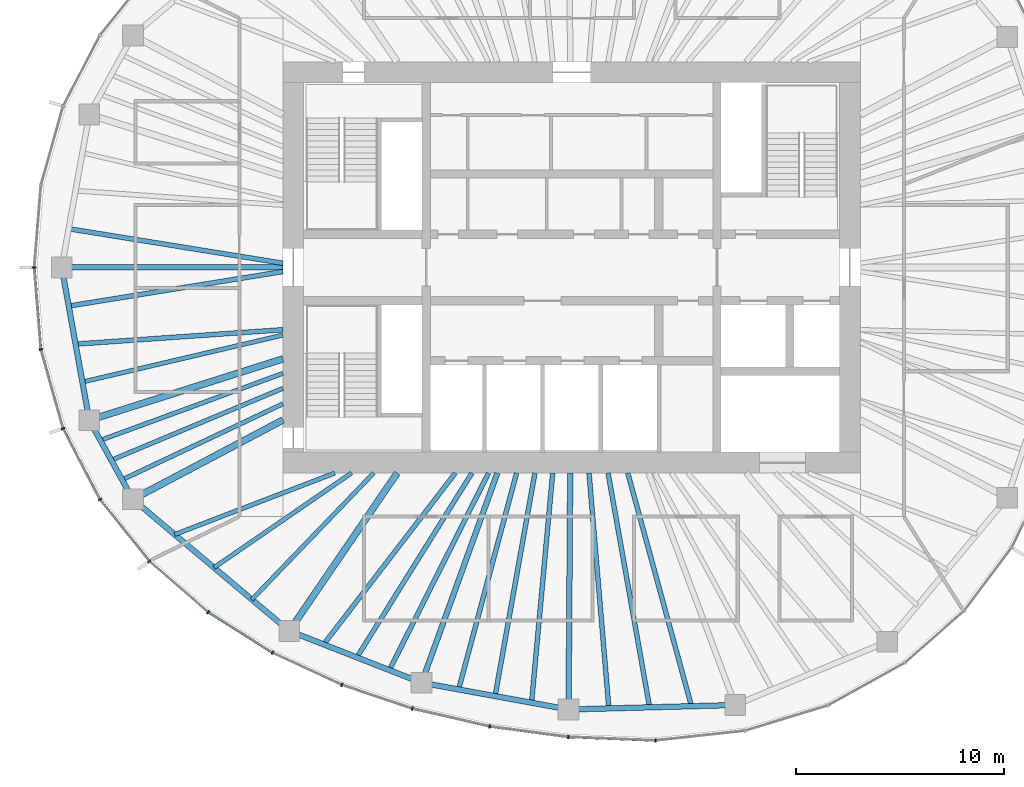
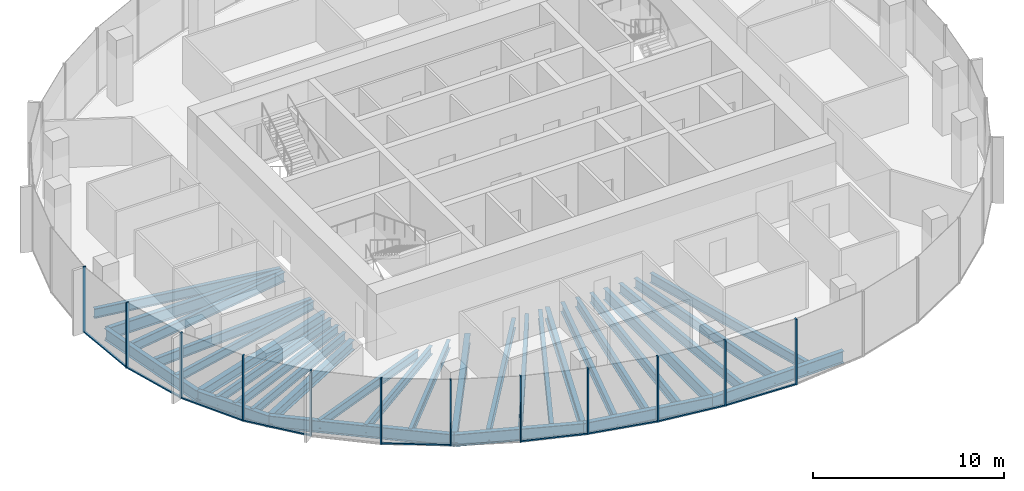
# One storey, part 2 of 11: 31 beams, 21 members, 6 elements without a shape of their own.
"""IFC4 building model written with IfcOpenShell, lengths in metres."""

from ifc_helpers import new_model, si_unit, direction, frame, origin, origin_2d, place, context, subcontext, project, spatial, rectangle, i_section, extrude, material, material_profile, profile_set, type_object, element, aggregate, save


model = new_model("IFC4")

# Units and contexts
model_context = context("Model", 3, precision=1e-05, world=origin(), true_north=direction((0.0, 1.0)))
body_context = subcontext(model_context, "Body", "Model", "MODEL_VIEW")
ifc_project = project(units=[si_unit("LENGTHUNIT", "METRE"), si_unit("AREAUNIT", "SQUARE_METRE"), si_unit("VOLUMEUNIT", "CUBIC_METRE"), si_unit("PLANEANGLEUNIT", "RADIAN"), si_unit("MASSUNIT", "GRAM", prefix="KILO")], contexts=[model_context])

# Site, building, storey
site_placement = place(None, origin())
site = spatial("IfcSite", under=ifc_project, at=site_placement, CompositionType="ELEMENT")
building_placement = place(site_placement, origin())
building = spatial("IfcBuilding", under=site, at=building_placement, Name="Ghaith Harvest Tower", CompositionType="ELEMENT")
storey_placement = place(building_placement, frame((0.0, 0.0, 330.0)))
storey = spatial("IfcBuildingStorey", under=building, at=storey_placement, Name="L74", CompositionType="ELEMENT", Elevation=330.0)

# Curtain wall, members
ifc_material_1 = material(Name="Black anodised aluminium and fritted glass", Category="aluminium")
curtain_wall_type = type_object("IfcCurtainWallType", Name="CW-T CURTAIN WALL", PredefinedType="NOTDEFINED", material=ifc_material_1)
curtain_wall_1_placement = place(storey_placement, origin())
curtain_wall_1 = element("IfcCurtainWall", 1, at=curtain_wall_1_placement, inside=storey, type_object=curtain_wall_type, Name="Curtain wall CW-T bay 11 L74", PredefinedType="NOTDEFINED")
ifc_material_2 = material(Name="Aluminium, black anodised", Category="aluminium")
ifc_material_profile_1 = material_profile(ifc_material_2, rectangle(XDim=0.080078125, YDim=0.179931640625, at=origin_2d()), Name="CW-T MULLION 80x180")
ifc_profile_set_1 = profile_set([ifc_material_profile_1], Name="Aluminium, black anodised")
member_type_1 = type_object("IfcMemberType", Name="CW-T MULLION 80x180", PredefinedType="MULLION", material=ifc_profile_set_1)
member_1_placement = place(storey_placement, frame((-25.8701171875, 0.0, 0.0), z_axis=(0.0, 0.0, 1.0), x_axis=(-1.05e-10, -1.0, 0.0)))
member_1 = element("IfcMember", 2, at=member_1_placement, type_object=member_type_1, Name="CW-T mullion 1 bay 11 L74", PredefinedType="MULLION", context=body_context, shape_type="SweptSolid", body=[
    extrude(rectangle(XDim=0.080078125, YDim=0.179931640625, at=origin_2d()), origin(), (0.0, 0.0, 1.0), 4.199951171875),
])
member_2_placement = place(storey_placement, frame((-25.5517578125, -3.9521484375, 0.0), z_axis=(0.0, 0.0, 1.0), x_axis=(0.176001391003, -0.98438991785, 0.0)))
member_2 = element("IfcMember", 3, at=member_2_placement, type_object=member_type_1, Name="CW-T mullion 2 bay 11 L74", PredefinedType="MULLION", context=body_context, shape_type="SweptSolid", body=[
    extrude(rectangle(XDim=0.080078125, YDim=0.179931640625, at=origin_2d()), origin(), (0.0, 0.0, 1.0), 4.199951171875),
])

curtain_wall_2_placement = place(storey_placement, origin())
curtain_wall_2 = element("IfcCurtainWall", 4, at=curtain_wall_2_placement, inside=storey, type_object=curtain_wall_type, Name="Curtain wall CW-T bay 12 L74", PredefinedType="NOTDEFINED")
member_3_placement = place(storey_placement, frame((-24.482666015625, -7.759033203125, 0.0), z_axis=(0.0, 0.0, 1.0), x_axis=(0.366473104734, -0.930428645038, 0.0)))
member_3 = element("IfcMember", 5, at=member_3_placement, type_object=member_type_1, Name="CW-T mullion 1 bay 12 L74", PredefinedType="MULLION", context=body_context, shape_type="SweptSolid", body=[
    extrude(rectangle(XDim=0.080078125, YDim=0.179931640625, at=origin_2d()), origin(), (0.0, 0.0, 1.0), 4.199951171875),
])
member_4_placement = place(storey_placement, frame((-22.706298828125, -11.176513671875, 0.0), z_axis=(0.0, 0.0, 1.0), x_axis=(0.545865412431, -0.837872873121, 0.0)))
member_4 = element("IfcMember", 6, at=member_4_placement, type_object=member_type_1, Name="CW-T mullion 2 bay 12 L74", PredefinedType="MULLION", context=body_context, shape_type="SweptSolid", body=[
    extrude(rectangle(XDim=0.080078125, YDim=0.179931640625, at=origin_2d()), origin(), (0.0, 0.0, 1.0), 4.199951171875),
])

curtain_wall_3_placement = place(storey_placement, origin())
curtain_wall_3 = element("IfcCurtainWall", 7, at=curtain_wall_3_placement, inside=storey, type_object=curtain_wall_type, Name="Curtain wall CW-T bay 13 L74", PredefinedType="NOTDEFINED")
member_5_placement = place(storey_placement, frame((-20.324462890625, -14.141845703125, 0.0), z_axis=(0.0, 0.0, 1.0), x_axis=(0.692826491831, -0.721104328248, 0.0)))
member_5 = element("IfcMember", 8, at=member_5_placement, type_object=member_type_1, Name="CW-T mullion 1 bay 13 L74", PredefinedType="MULLION", context=body_context, shape_type="SweptSolid", body=[
    extrude(rectangle(XDim=0.080078125, YDim=0.179931640625, at=origin_2d()), origin(), (0.0, 0.0, 1.0), 4.199951171875),
])
member_6_placement = place(storey_placement, frame((-17.49462890625, -16.600830078125, 0.0), z_axis=(0.0, 0.0, 1.0), x_axis=(0.802189888845, -0.59706899286, 0.0)))
member_6 = element("IfcMember", 9, at=member_6_placement, type_object=member_type_1, Name="CW-T mullion 2 bay 13 L74", PredefinedType="MULLION", context=body_context, shape_type="SweptSolid", body=[
    extrude(rectangle(XDim=0.080078125, YDim=0.179931640625, at=origin_2d()), origin(), (0.0, 0.0, 1.0), 4.199951171875),
])

curtain_wall_4_placement = place(storey_placement, origin())
curtain_wall_4 = element("IfcCurtainWall", 10, at=curtain_wall_4_placement, inside=storey, type_object=curtain_wall_type, Name="Curtain wall CW-T bay 14 L74", PredefinedType="NOTDEFINED")
member_7_placement = place(storey_placement, frame((-14.40478515625, -18.5478515625, 0.0), z_axis=(0.0, 0.0, 1.0), x_axis=(0.878671732732, -0.477426419564, 0.0)))
member_7 = element("IfcMember", 11, at=member_7_placement, type_object=member_type_1, Name="CW-T mullion 1 bay 14 L74", PredefinedType="MULLION", context=body_context, shape_type="SweptSolid", body=[
    extrude(rectangle(XDim=0.080078125, YDim=0.179931640625, at=origin_2d()), origin(), (0.0, 0.0, 1.0), 4.199951171875),
])
member_8_placement = place(storey_placement, frame((-11.0673828125, -20.093017578125, 0.0), z_axis=(0.0, 0.0, 1.0), x_axis=(0.92862442092, -0.371021138038, 0.0)))
member_8 = element("IfcMember", 12, at=member_8_placement, type_object=member_type_1, Name="CW-T mullion 2 bay 14 L74", PredefinedType="MULLION", context=body_context, shape_type="SweptSolid", body=[
    extrude(rectangle(XDim=0.080078125, YDim=0.179931640625, at=origin_2d()), origin(), (0.0, 0.0, 1.0), 4.199951171875),
])

curtain_wall_5_placement = place(storey_placement, origin())
curtain_wall_5 = element("IfcCurtainWall", 13, at=curtain_wall_5_placement, inside=storey, type_object=curtain_wall_type, Name="Curtain wall CW-T bay 15 L74", PredefinedType="NOTDEFINED")
member_9_placement = place(storey_placement, frame((-7.6708984375, -21.23828125, 0.0), z_axis=(0.0, 0.0, 1.0), x_axis=(0.962552491659, -0.271095372151, 0.0)))
member_9 = element("IfcMember", 14, at=member_9_placement, type_object=member_type_1, Name="CW-T mullion 1 bay 15 L74", PredefinedType="MULLION", context=body_context, shape_type="SweptSolid", body=[
    extrude(rectangle(XDim=0.080078125, YDim=0.179931640625, at=origin_2d()), origin(), (0.0, 0.0, 1.0), 4.199951171875),
])
member_10_placement = place(storey_placement, frame((-3.946533203125, -22.0986328125, 0.0), z_axis=(0.0, 0.0, 1.0), x_axis=(0.983843447712, -0.179030920217, 0.0)))
member_10 = element("IfcMember", 15, at=member_10_placement, type_object=member_type_1, Name="CW-T mullion 2 bay 15 L74", PredefinedType="MULLION", context=body_context, shape_type="SweptSolid", body=[
    extrude(rectangle(XDim=0.080078125, YDim=0.179931640625, at=origin_2d()), origin(), (0.0, 0.0, 1.0), 4.199951171875),
])

curtain_wall_6_placement = place(storey_placement, origin())
curtain_wall_6 = element("IfcCurtainWall", 16, at=curtain_wall_6_placement, inside=storey, type_object=curtain_wall_type, Name="Curtain wall CW-T bay 16 L74", PredefinedType="NOTDEFINED")
member_11_placement = place(storey_placement, frame((-0.15478515625, -22.60595703125, 0.0), z_axis=(0.0, 0.0, 1.0), x_axis=(0.996414855524, -0.084601629366, 0.0)))
member_11 = element("IfcMember", 17, at=member_11_placement, type_object=member_type_1, Name="CW-T mullion 1 bay 16 L74", PredefinedType="MULLION", context=body_context, shape_type="SweptSolid", body=[
    extrude(rectangle(XDim=0.080078125, YDim=0.179931640625, at=origin_2d()), origin(), (0.0, 0.0, 1.0), 4.199951171875),
])
member_12_placement = place(storey_placement, frame((4.037841796875, -22.776611328125, 0.0), z_axis=(0.0, 0.0, 1.0), x_axis=(0.999388631241, 0.034962318939, 0.0)))
member_12 = element("IfcMember", 18, at=member_12_placement, type_object=member_type_1, Name="CW-T mullion 2 bay 16 L74", PredefinedType="MULLION", context=body_context, shape_type="SweptSolid", body=[
    extrude(rectangle(XDim=0.080078125, YDim=0.179931640625, at=origin_2d()), origin(), (0.0, 0.0, 1.0), 4.199951171875),
])

# Member
ifc_material_3 = material(Name="Aluminium, black anodised", Category="aluminium")
ifc_material_profile_2 = material_profile(ifc_material_3, rectangle(XDim=0.1201171875, YDim=0.080078125, at=origin_2d()), Name="CW-T TRANSOM 120x80")
ifc_profile_set_2 = profile_set([ifc_material_profile_2], Name="Aluminium, black anodised")
member_type_2 = type_object("IfcMemberType", Name="CW-T TRANSOM 120x80", PredefinedType="USERDEFINED", material=ifc_profile_set_2)
member_13_placement = place(storey_placement, frame((-25.86669921875, -0.039794921875, 0.0400390625), z_axis=(0.08025226314, -0.996774585481, 0.0), x_axis=(0.996774585481, 0.08025226314, 0.0)))
member_13 = element("IfcMember", 19, at=member_13_placement, type_object=member_type_2, Name="CW-T transom 1 bay 11 L74", ObjectType="TRANSOM", PredefinedType="USERDEFINED", context=body_context, shape_type="SweptSolid", body=[
    extrude(rectangle(XDim=0.1201171875, YDim=0.080078125, at=origin_2d()), origin(), (0.0, 0.0, 1.0), 3.884765625),
])

member_14_placement = place(storey_placement, frame((-25.541015625, -3.990478515625, 0.0400390625), z_axis=(0.270340422972, -0.962764797709, 0.0), x_axis=(0.962764797709, 0.270340422972, 0.0)))
member_14 = element("IfcMember", 20, at=member_14_placement, type_object=member_type_2, Name="CW-T transom 2 bay 11 L74", ObjectType="TRANSOM", PredefinedType="USERDEFINED", context=body_context, shape_type="SweptSolid", body=[
    extrude(rectangle(XDim=0.1201171875, YDim=0.080078125, at=origin_2d()), origin(), (0.0, 0.0, 1.0), 3.874267578125),
])

aggregate(curtain_wall_1, [member_1, member_13, member_2, member_14])

member_15_placement = place(storey_placement, frame((-24.46435546875, -7.79443359375, 0.0400390625), z_axis=(0.461242681347, -0.887274021317, 0.0), x_axis=(0.887274021317, 0.461242681347, 0.0)))
member_15 = element("IfcMember", 21, at=member_15_placement, type_object=member_type_2, Name="CW-T transom 1 bay 12 L74", ObjectType="TRANSOM", PredefinedType="USERDEFINED", context=body_context, shape_type="SweptSolid", body=[
    extrude(rectangle(XDim=0.1201171875, YDim=0.080078125, at=origin_2d()), origin(), (0.0, 0.0, 1.0), 3.77197265625),
])

member_16_placement = place(storey_placement, frame((-22.68115234375, -11.207763671875, 0.0400390625), z_axis=(0.626253073761, -0.779619835307, 0.0), x_axis=(0.779619835307, 0.626253073761, 0.0)))
member_16 = element("IfcMember", 22, at=member_16_placement, type_object=member_type_2, Name="CW-T transom 2 bay 12 L74", ObjectType="TRANSOM", PredefinedType="USERDEFINED", context=body_context, shape_type="SweptSolid", body=[
    extrude(rectangle(XDim=0.1201171875, YDim=0.080078125, at=origin_2d()), origin(), (0.0, 0.0, 1.0), 3.723388671875),
])

aggregate(curtain_wall_2, [member_3, member_15, member_4, member_16])

member_17_placement = place(storey_placement, frame((-17.4609375, -16.6220703125, 0.0400390625), z_axis=(0.846053602505, -0.533097835006, 0.0), x_axis=(0.533097835006, 0.846053602505, 0.0)))
member_17 = element("IfcMember", 23, at=member_17_placement, type_object=member_type_2, Name="CW-T transom 2 bay 13 L74", ObjectType="TRANSOM", PredefinedType="USERDEFINED", context=body_context, shape_type="SweptSolid", body=[
    extrude(rectangle(XDim=0.1201171875, YDim=0.080078125, at=origin_2d()), origin(), (0.0, 0.0, 1.0), 3.572021484375),
])

aggregate(curtain_wall_3, [member_5, member_6, member_17])

member_18_placement = place(storey_placement, frame((-11.029541015625, -20.105712890625, 0.0400390625), z_axis=(0.9475698206, -0.319548799228, 0.0), x_axis=(0.319548799228, 0.9475698206, 0.0)))
member_18 = element("IfcMember", 24, at=member_18_placement, type_object=member_type_2, Name="CW-T transom 2 bay 14 L74", ObjectType="TRANSOM", PredefinedType="USERDEFINED", context=body_context, shape_type="SweptSolid", body=[
    extrude(rectangle(XDim=0.1201171875, YDim=0.080078125, at=origin_2d()), origin(), (0.0, 0.0, 1.0), 3.504638671875),
])

aggregate(curtain_wall_4, [member_7, member_8, member_18])

member_19_placement = place(storey_placement, frame((-7.6318359375, -21.247314453125, 0.0400390625), z_axis=(0.974344997799, -0.225059603803, 0.0), x_axis=(0.225059603803, 0.974344997799, 0.0)))
member_19 = element("IfcMember", 25, at=member_19_placement, type_object=member_type_2, Name="CW-T transom 1 bay 15 L74", ObjectType="TRANSOM", PredefinedType="USERDEFINED", context=body_context, shape_type="SweptSolid", body=[
    extrude(rectangle(XDim=0.1201171875, YDim=0.080078125, at=origin_2d()), origin(), (0.0, 0.0, 1.0), 3.742431640625),
])

member_20_placement = place(storey_placement, frame((-3.90673828125, -22.10400390625, 0.0400390625), z_axis=(0.99117202259, -0.132582131655, 0.0), x_axis=(0.132582131655, 0.99117202259, 0.0)))
member_20 = element("IfcMember", 26, at=member_20_placement, type_object=member_type_2, Name="CW-T transom 2 bay 15 L74", ObjectType="TRANSOM", PredefinedType="USERDEFINED", context=body_context, shape_type="SweptSolid", body=[
    extrude(rectangle(XDim=0.1201171875, YDim=0.080078125, at=origin_2d()), origin(), (0.0, 0.0, 1.0), 3.745361328125),
])

aggregate(curtain_wall_5, [member_9, member_19, member_10, member_20])

member_21_placement = place(storey_placement, frame((-0.11474609375, -22.607666015625, 0.0400390625), z_axis=(0.999174207562, -0.040631304968, 0.0), x_axis=(0.040631304968, 0.999174207562, 0.0)))
member_21 = element("IfcMember", 27, at=member_21_placement, type_object=member_type_2, Name="CW-T transom 1 bay 16 L74", ObjectType="TRANSOM", PredefinedType="USERDEFINED", context=body_context, shape_type="SweptSolid", body=[
    extrude(rectangle(XDim=0.1201171875, YDim=0.080078125, at=origin_2d()), origin(), (0.0, 0.0, 1.0), 4.115966796875),
])

aggregate(curtain_wall_6, [member_11, member_21, member_12])

# Beams
ifc_material_4 = material(Name="Steel ASTM A992 Grade 50", Category="steel")
ifc_material_profile_3 = material_profile(ifc_material_4, i_section(OverallWidth=0.26611328125, OverallDepth=0.758056640625, WebThickness=0.013916015625, FlangeThickness=0.019287109375, at=origin_2d()), Name="W760X161")
ifc_profile_set_3 = profile_set([ifc_material_profile_3], Name="Steel ASTM A992 Grade 50")
beam_type_1 = type_object("IfcBeamType", Name="E760-161 W760X161", PredefinedType="SPANDREL", material=ifc_profile_set_3)
beam_1_placement = place(storey_placement, frame((-24.550048828125, 0.0, -0.549072265625), z_axis=(0.177296554745, -0.984157473007, 0.0), x_axis=(0.984157473007, 0.177296554745, 0.0)))
element("IfcBeam", 28, at=beam_1_placement, inside=storey, type_object=beam_type_1, Name="Edge beam E11 L74", PredefinedType="SPANDREL", context=body_context, shape_type="SweptSolid", body=[
    extrude(i_section(OverallWidth=0.26611328125, OverallDepth=0.758056640625, WebThickness=0.013916015625, FlangeThickness=0.019287109375, at=origin_2d()), origin(), (0.0, 0.0, 1.0), 7.478515625),
])
beam_2_placement = place(storey_placement, frame((-23.22412109375, -7.360107421875, -0.549072265625), z_axis=(0.482955575345, -0.875644855089, 0.0), x_axis=(0.875644855089, 0.482955575345, 0.0)))
element("IfcBeam", 29, at=beam_2_placement, inside=storey, type_object=beam_type_1, Name="Edge beam E12 L74", PredefinedType="SPANDREL", context=body_context, shape_type="SweptSolid", body=[
    extrude(i_section(OverallWidth=0.26611328125, OverallDepth=0.758056640625, WebThickness=0.013916015625, FlangeThickness=0.019287109375, at=origin_2d()), origin(), (0.0, 0.0, 1.0), 4.346435546875),
])
beam_3_placement = place(storey_placement, frame((-21.125, -11.166015625, -0.549072265625), z_axis=(0.765021818761, -0.64400436087, 0.0), x_axis=(0.64400436087, 0.765021818761, 0.0)))
element("IfcBeam", 30, at=beam_3_placement, inside=storey, type_object=beam_type_1, Name="Edge beam E13 L74", PredefinedType="SPANDREL", context=body_context, shape_type="SweptSolid", body=[
    extrude(i_section(OverallWidth=0.26611328125, OverallDepth=0.758056640625, WebThickness=0.013916015625, FlangeThickness=0.019287109375, at=origin_2d()), origin(), (0.0, 0.0, 1.0), 9.8427734375),
])
beam_4_placement = place(storey_placement, frame((-13.594970703125, -17.5048828125, -0.549072265625), z_axis=(0.931322768207, -0.364194867371, 0.0), x_axis=(0.364194867371, 0.931322768207, 0.0)))
element("IfcBeam", 31, at=beam_4_placement, inside=storey, type_object=beam_type_1, Name="Edge beam E14 L74", PredefinedType="SPANDREL", context=body_context, shape_type="SweptSolid", body=[
    extrude(i_section(OverallWidth=0.26611328125, OverallDepth=0.758056640625, WebThickness=0.013916015625, FlangeThickness=0.019287109375, at=origin_2d()), origin(), (0.0, 0.0, 1.0), 6.843017578125),
])
beam_5_placement = place(storey_placement, frame((-7.221923828125, -19.9970703125, -0.549072265625), z_axis=(0.983813921429, -0.179193102551, 0.0), x_axis=(0.179193102551, 0.983813921429, 0.0)))
element("IfcBeam", 32, at=beam_5_placement, inside=storey, type_object=beam_type_1, Name="Edge beam E15 L74", PredefinedType="SPANDREL", context=body_context, shape_type="SweptSolid", body=[
    extrude(i_section(OverallWidth=0.26611328125, OverallDepth=0.758056640625, WebThickness=0.013916015625, FlangeThickness=0.019287109375, at=origin_2d()), origin(), (0.0, 0.0, 1.0), 7.1923828125),
])
beam_6_placement = place(storey_placement, frame((-0.14599609375, -21.285888671875, -0.549072265625), z_axis=(0.999644979696, 0.02664422206, 0.0), x_axis=(-0.02664422206, 0.999644979696, 0.0)))
element("IfcBeam", 33, at=beam_6_placement, inside=storey, type_object=beam_type_1, Name="Edge beam E16 L74", PredefinedType="SPANDREL", context=body_context, shape_type="SweptSolid", body=[
    extrude(i_section(OverallWidth=0.26611328125, OverallDepth=0.758056640625, WebThickness=0.013916015625, FlangeThickness=0.019287109375, at=origin_2d()), origin(), (0.0, 0.0, 1.0), 8.02685546875),
])
ifc_material_5 = material(Name="Steel ASTM A992 Grade 50", Category="steel")
ifc_material_profile_4 = material_profile(ifc_material_5, i_section(OverallWidth=0.323974609375, OverallDepth=0.611083984375, WebThickness=0.0126953125, FlangeThickness=0.01904296875, at=origin_2d()), Name="W610X155")
ifc_profile_set_4 = profile_set([ifc_material_profile_4], Name="Steel ASTM A992 Grade 50")
beam_type_2 = type_object("IfcBeamType", Name="G610-155 W610X155", PredefinedType="BEAM", material=ifc_profile_set_4)
beam_7_placement = place(storey_placement, frame((-13.89990234375, -4.4052734375, -0.4755859375), z_axis=(-0.953278508772, -0.302092841215, 0.0), x_axis=(0.302092841215, -0.953278508772, 0.0)))
element("IfcBeam", 34, at=beam_7_placement, inside=storey, type_object=beam_type_2, Name="Radial girder G12 L74", PredefinedType="BEAM", context=body_context, shape_type="SweptSolid", body=[
    extrude(i_section(OverallWidth=0.323974609375, OverallDepth=0.611083984375, WebThickness=0.0126953125, FlangeThickness=0.01904296875, at=origin_2d()), origin(), (0.0, 0.0, 1.0), 9.78125),
])
beam_8_placement = place(storey_placement, frame((-13.89990234375, -7.34716796875, -0.4755859375), z_axis=(-0.88410164037, -0.467294649546, 0.0), x_axis=(0.467294649546, -0.88410164037, 0.0)))
element("IfcBeam", 35, at=beam_8_placement, inside=storey, type_object=beam_type_2, Name="Radial girder G13 L74", PredefinedType="BEAM", context=body_context, shape_type="SweptSolid", body=[
    extrude(i_section(OverallWidth=0.323974609375, OverallDepth=0.611083984375, WebThickness=0.0126953125, FlangeThickness=0.01904296875, at=origin_2d()), origin(), (0.0, 0.0, 1.0), 8.17236328125),
])
beam_9_placement = place(storey_placement, frame((-8.39990234375, -9.89990234375, -0.4755859375), z_axis=(-0.564067018201, -0.825729010619, 0.0), x_axis=(0.825729010619, -0.564067018201, 0.0)))
element("IfcBeam", 36, at=beam_9_placement, inside=storey, type_object=beam_type_2, Name="Radial girder G14 L74", PredefinedType="BEAM", context=body_context, shape_type="SweptSolid", body=[
    extrude(i_section(OverallWidth=0.323974609375, OverallDepth=0.611083984375, WebThickness=0.0126953125, FlangeThickness=0.01904296875, at=origin_2d()), origin(), (0.0, 0.0, 1.0), 9.2099609375),
])
ifc_material_6 = material(Name="Steel ASTM A992 Grade 50", Category="steel")
ifc_material_profile_5 = material_profile(ifc_material_6, i_section(OverallWidth=0.26611328125, OverallDepth=0.758056640625, WebThickness=0.013916015625, FlangeThickness=0.019287109375, at=origin_2d()), Name="W760X161")
ifc_profile_set_5 = profile_set([ifc_material_profile_5], Name="Steel ASTM A992 Grade 50")
beam_type_3 = type_object("IfcBeamType", Name="G760-161 W760X161", PredefinedType="BEAM", material=ifc_profile_set_5)
beam_10_placement = place(storey_placement, frame((-13.89990234375, 0.0, -0.549072265625), z_axis=(-1.0, 0.0, 0.0), x_axis=(0.0, -1.0, 0.0)))
element("IfcBeam", 37, at=beam_10_placement, inside=storey, type_object=beam_type_3, Name="Radial girder G11 L74", PredefinedType="BEAM", context=body_context, shape_type="SweptSolid", body=[
    extrude(i_section(OverallWidth=0.26611328125, OverallDepth=0.758056640625, WebThickness=0.013916015625, FlangeThickness=0.019287109375, at=origin_2d()), origin(), (0.0, 0.0, 1.0), 10.650146484375),
])
beam_11_placement = place(storey_placement, frame((-3.57568359375, -9.89990234375, -0.549072265625), z_axis=(-0.339647816823, -0.940552688863, 0.0), x_axis=(0.940552688863, -0.339647816823, 0.0)))
element("IfcBeam", 38, at=beam_11_placement, inside=storey, type_object=beam_type_3, Name="Radial girder G15 L74", PredefinedType="BEAM", context=body_context, shape_type="SweptSolid", body=[
    extrude(i_section(OverallWidth=0.26611328125, OverallDepth=0.758056640625, WebThickness=0.013916015625, FlangeThickness=0.019287109375, at=origin_2d()), origin(), (0.0, 0.0, 1.0), 10.7353515625),
])
beam_12_placement = place(storey_placement, frame((-0.06787109375, -9.89990234375, -0.549072265625), z_axis=(-0.006861343299, -0.999976460707, 0.0), x_axis=(0.999976460707, -0.006861343299, 0.0)))
element("IfcBeam", 39, at=beam_12_placement, inside=storey, type_object=beam_type_3, Name="Radial girder G16 L74", PredefinedType="BEAM", context=body_context, shape_type="SweptSolid", body=[
    extrude(i_section(OverallWidth=0.26611328125, OverallDepth=0.758056640625, WebThickness=0.013916015625, FlangeThickness=0.019287109375, at=origin_2d()), origin(), (0.0, 0.0, 1.0), 11.38623046875),
])
ifc_material_7 = material(Name="Steel ASTM A992 Grade 50", Category="steel")
ifc_material_profile_6 = material_profile(ifc_material_7, i_section(OverallWidth=0.2109375, OverallDepth=0.5390625, WebThickness=0.01171875, FlangeThickness=0.018798828125, at=origin_2d()), Name="W530X109")
ifc_profile_set_6 = profile_set([ifc_material_profile_6], Name="Steel ASTM A992 Grade 50")
beam_type_4 = type_object("IfcBeamType", Name="J530-109 W530X109", PredefinedType="JOIST", material=ifc_profile_set_6)
beam_13_placement = place(storey_placement, frame((-13.89990234375, -3.257080078125, -0.439453125), z_axis=(-0.973623403271, -0.228161058472, 0.0), x_axis=(0.228161058472, -0.973623403271, 0.0)))
element("IfcBeam", 40, at=beam_13_placement, inside=storey, type_object=beam_type_4, Name="Joist J11.3 L74", PredefinedType="JOIST", context=body_context, shape_type="SweptSolid", body=[
    extrude(i_section(OverallWidth=0.2109375, OverallDepth=0.5390625, WebThickness=0.01171875, FlangeThickness=0.018798828125, at=origin_2d()), origin(), (0.0, 0.0, 1.0), 9.9169921875),
])
beam_14_placement = place(storey_placement, frame((-13.89990234375, -5.101318359375, -0.439453125), z_axis=(-0.938776837502, -0.34452583266, 0.0), x_axis=(0.34452583266, -0.938776837502, 0.0)))
element("IfcBeam", 41, at=beam_14_placement, inside=storey, type_object=beam_type_4, Name="Joist J12.1 L74", PredefinedType="JOIST", context=body_context, shape_type="SweptSolid", body=[
    extrude(i_section(OverallWidth=0.2109375, OverallDepth=0.5390625, WebThickness=0.01171875, FlangeThickness=0.018798828125, at=origin_2d()), origin(), (0.0, 0.0, 1.0), 9.36376953125),
])
beam_15_placement = place(storey_placement, frame((-13.89990234375, -5.82080078125, -0.439453125), z_axis=(-0.922394258818, -0.38624970071, 0.0), x_axis=(0.38624970071, -0.922394258818, 0.0)))
element("IfcBeam", 42, at=beam_15_placement, inside=storey, type_object=beam_type_4, Name="Joist J12.2 L74", PredefinedType="JOIST", context=body_context, shape_type="SweptSolid", body=[
    extrude(i_section(OverallWidth=0.2109375, OverallDepth=0.5390625, WebThickness=0.01171875, FlangeThickness=0.018798828125, at=origin_2d()), origin(), (0.0, 0.0, 1.0), 8.959716796875),
])
beam_16_placement = place(storey_placement, frame((-13.89990234375, -6.56787109375, -0.439453125), z_axis=(-0.904165769726, -0.427181765594, 0.0), x_axis=(0.427181765594, -0.904165769726, 0.0)))
element("IfcBeam", 43, at=beam_16_placement, inside=storey, type_object=beam_type_4, Name="Joist J12.3 L74", PredefinedType="JOIST", context=body_context, shape_type="SweptSolid", body=[
    extrude(i_section(OverallWidth=0.2109375, OverallDepth=0.5390625, WebThickness=0.01171875, FlangeThickness=0.018798828125, at=origin_2d()), origin(), (0.0, 0.0, 1.0), 8.564208984375),
])
beam_17_placement = place(storey_placement, frame((-11.39990234375, -9.89990234375, -0.439453125), z_axis=(-0.933583045329, -0.358361127181, 0.0), x_axis=(0.358361127181, -0.933583045329, 0.0)))
element("IfcBeam", 44, at=beam_17_placement, inside=storey, type_object=beam_type_4, Name="Joist J13.1 L74", PredefinedType="JOIST", context=body_context, shape_type="SweptSolid", body=[
    extrude(i_section(OverallWidth=0.2109375, OverallDepth=0.5390625, WebThickness=0.01171875, FlangeThickness=0.018798828125, at=origin_2d()), origin(), (0.0, 0.0, 1.0), 8.260986328125),
])
beam_18_placement = place(storey_placement, frame((-10.60009765625, -9.89990234375, -0.439453125), z_axis=(-0.823778502511, -0.566911791023, 0.0), x_axis=(0.566911791023, -0.823778502511, 0.0)))
element("IfcBeam", 45, at=beam_18_placement, inside=storey, type_object=beam_type_4, Name="Joist J13.2 L74", PredefinedType="JOIST", context=body_context, shape_type="SweptSolid", body=[
    extrude(i_section(OverallWidth=0.2109375, OverallDepth=0.5390625, WebThickness=0.01171875, FlangeThickness=0.018798828125, at=origin_2d()), origin(), (0.0, 0.0, 1.0), 8.0341796875),
])
beam_19_placement = place(storey_placement, frame((-9.530517578125, -9.89990234375, -0.439453125), z_axis=(-0.693536238632, -0.720421741554, 0.0), x_axis=(0.720421741554, -0.693536238632, 0.0)))
element("IfcBeam", 46, at=beam_19_placement, inside=storey, type_object=beam_type_4, Name="Joist J13.3 L74", PredefinedType="JOIST", context=body_context, shape_type="SweptSolid", body=[
    extrude(i_section(OverallWidth=0.2109375, OverallDepth=0.5390625, WebThickness=0.01171875, FlangeThickness=0.018798828125, at=origin_2d()), origin(), (0.0, 0.0, 1.0), 8.4541015625),
])
ifc_material_8 = material(Name="Steel ASTM A992 Grade 50", Category="steel")
ifc_material_profile_7 = material_profile(ifc_material_8, i_section(OverallWidth=0.22998046875, OverallDepth=0.616943359375, WebThickness=0.01318359375, FlangeThickness=0.022216796875, at=origin_2d()), Name="W610X140")
ifc_profile_set_7 = profile_set([ifc_material_profile_7], Name="Steel ASTM A992 Grade 50")
beam_type_5 = type_object("IfcBeamType", Name="J610-140 W610X140", PredefinedType="JOIST", material=ifc_profile_set_7)
for number, where, z_axis, x_axis, name in (
    (47, (-13.89990234375, 0.199951171875, -0.478515625), (-0.987271793524, 0.159042150743, 0.0), (-0.159042150743, -0.987271793524, 0.0), "Joist J10.3 L74"),
    (48, (-13.89990234375, -0.199951171875, -0.478515625), (-0.987271793524, -0.159042150743, 0.0), (0.159042150743, -0.987271793524, 0.0), "Joist J11.1 L74"),
):
    element("IfcBeam", number, at=place(storey_placement, frame(where, z_axis=z_axis, x_axis=x_axis)), inside=storey, type_object=beam_type_5, Name=name, PredefinedType="JOIST", context=body_context, shape_type="SweptSolid", body=[
        extrude(i_section(OverallWidth=0.22998046875, OverallDepth=0.616943359375, WebThickness=0.01318359375, FlangeThickness=0.022216796875, at=origin_2d()), origin(), (0.0, 0.0, 1.0), 10.44775390625),
    ])
beam_20_placement = place(storey_placement, frame((-13.89990234375, -3.0, -0.478515625), z_axis=(-0.997592478057, -0.069348739886, 0.0), x_axis=(0.069348739886, -0.997592478057, 0.0)))
element("IfcBeam", 49, at=beam_20_placement, inside=storey, type_object=beam_type_5, Name="Joist J11.2 L74", PredefinedType="JOIST", context=body_context, shape_type="SweptSolid", body=[
    extrude(i_section(OverallWidth=0.22998046875, OverallDepth=0.616943359375, WebThickness=0.01318359375, FlangeThickness=0.022216796875, at=origin_2d()), origin(), (0.0, 0.0, 1.0), 10.0087890625),
])
beam_21_placement = place(storey_placement, frame((-5.60009765625, -9.89990234375, -0.478515625), z_axis=(-0.609353577926, -0.792898617144, 0.0), x_axis=(0.792898617144, -0.609353577926, 0.0)))
element("IfcBeam", 50, at=beam_21_placement, inside=storey, type_object=beam_type_5, Name="Joist J14.1 L74", PredefinedType="JOIST", context=body_context, shape_type="SweptSolid", body=[
    extrude(i_section(OverallWidth=0.22998046875, OverallDepth=0.616943359375, WebThickness=0.01318359375, FlangeThickness=0.022216796875, at=origin_2d()), origin(), (0.0, 0.0, 1.0), 10.406982421875),
])
beam_22_placement = place(storey_placement, frame((-4.800048828125, -9.89990234375, -0.478515625), z_axis=(-0.529596254905, -0.848249849273, 0.0), x_axis=(0.848249849273, -0.529596254905, 0.0)))
element("IfcBeam", 51, at=beam_22_placement, inside=storey, type_object=beam_type_5, Name="Joist J14.2 L74", PredefinedType="JOIST", context=body_context, shape_type="SweptSolid", body=[
    extrude(i_section(OverallWidth=0.22998046875, OverallDepth=0.616943359375, WebThickness=0.01318359375, FlangeThickness=0.022216796875, at=origin_2d()), origin(), (0.0, 0.0, 1.0), 10.465087890625),
])
beam_23_placement = place(storey_placement, frame((-4.0, -9.89990234375, -0.478515625), z_axis=(-0.449556131123, -0.893252083664, 0.0), x_axis=(0.893252083664, -0.449556131123, 0.0)))
element("IfcBeam", 52, at=beam_23_placement, inside=storey, type_object=beam_type_5, Name="Joist J14.3 L74", PredefinedType="JOIST", context=body_context, shape_type="SweptSolid", body=[
    extrude(i_section(OverallWidth=0.22998046875, OverallDepth=0.616943359375, WebThickness=0.01318359375, FlangeThickness=0.022216796875, at=origin_2d()), origin(), (0.0, 0.0, 1.0), 10.62353515625),
])
beam_24_placement = place(storey_placement, frame((-2.651123046875, -9.89990234375, -0.478515625), z_axis=(-0.258678019609, -0.965963602923, 0.0), x_axis=(0.965963602923, -0.258678019609, 0.0)))
element("IfcBeam", 53, at=beam_24_placement, inside=storey, type_object=beam_type_5, Name="Joist J15.1 L74", PredefinedType="JOIST", context=body_context, shape_type="SweptSolid", body=[
    extrude(i_section(OverallWidth=0.22998046875, OverallDepth=0.616943359375, WebThickness=0.01318359375, FlangeThickness=0.022216796875, at=origin_2d()), origin(), (0.0, 0.0, 1.0), 10.78857421875),
])
beam_25_placement = place(storey_placement, frame((-1.76806640625, -9.89990234375, -0.478515625), z_axis=(-0.175803029262, -0.984425362789, 0.0), x_axis=(0.984425362789, -0.175803029262, 0.0)))
element("IfcBeam", 54, at=beam_25_placement, inside=storey, type_object=beam_type_5, Name="Joist J15.2 L74", PredefinedType="JOIST", context=body_context, shape_type="SweptSolid", body=[
    extrude(i_section(OverallWidth=0.22998046875, OverallDepth=0.616943359375, WebThickness=0.01318359375, FlangeThickness=0.022216796875, at=origin_2d()), origin(), (0.0, 0.0, 1.0), 10.9111328125),
])
beam_26_placement = place(storey_placement, frame((-0.9111328125, -9.89990234375, -0.478515625), z_axis=(-0.091651380942, -0.995791154998, 0.0), x_axis=(0.995791154998, -0.091651380942, 0.0)))
element("IfcBeam", 55, at=beam_26_placement, inside=storey, type_object=beam_type_5, Name="Joist J15.3 L74", PredefinedType="JOIST", context=body_context, shape_type="SweptSolid", body=[
    extrude(i_section(OverallWidth=0.22998046875, OverallDepth=0.616943359375, WebThickness=0.01318359375, FlangeThickness=0.022216796875, at=origin_2d()), origin(), (0.0, 0.0, 1.0), 11.10791015625),
])
beam_27_placement = place(storey_placement, frame((0.836669921875, -9.89990234375, -0.478515625), z_axis=(0.084201795166, -0.996448723061, 0.0), x_axis=(0.996448723061, 0.084201795166, 0.0)))
element("IfcBeam", 56, at=beam_27_placement, inside=storey, type_object=beam_type_5, Name="Joist J16.1 L74", PredefinedType="JOIST", context=body_context, shape_type="SweptSolid", body=[
    extrude(i_section(OverallWidth=0.22998046875, OverallDepth=0.616943359375, WebThickness=0.01318359375, FlangeThickness=0.022216796875, at=origin_2d()), origin(), (0.0, 0.0, 1.0), 11.37451171875),
])
beam_28_placement = place(storey_placement, frame((1.7548828125, -9.89990234375, -0.478515625), z_axis=(0.174572943493, -0.98464424408, 0.0), x_axis=(0.98464424408, 0.174572943493, 0.0)))
element("IfcBeam", 57, at=beam_28_placement, inside=storey, type_object=beam_type_5, Name="Joist J16.2 L74", PredefinedType="JOIST", context=body_context, shape_type="SweptSolid", body=[
    extrude(i_section(OverallWidth=0.22998046875, OverallDepth=0.616943359375, WebThickness=0.01318359375, FlangeThickness=0.022216796875, at=origin_2d()), origin(), (0.0, 0.0, 1.0), 11.4580078125),
])
beam_29_placement = place(storey_placement, frame((2.70361328125, -9.89990234375, -0.478515625), z_axis=(0.263468802698, -0.964667916956, 0.0), x_axis=(0.964667916956, 0.263468802698, 0.0)))
element("IfcBeam", 58, at=beam_29_placement, inside=storey, type_object=beam_type_5, Name="Joist J16.3 L74", PredefinedType="JOIST", context=body_context, shape_type="SweptSolid", body=[
    extrude(i_section(OverallWidth=0.22998046875, OverallDepth=0.616943359375, WebThickness=0.01318359375, FlangeThickness=0.022216796875, at=origin_2d()), origin(), (0.0, 0.0, 1.0), 11.639404296875),
])

save(model, "model.ifc")
